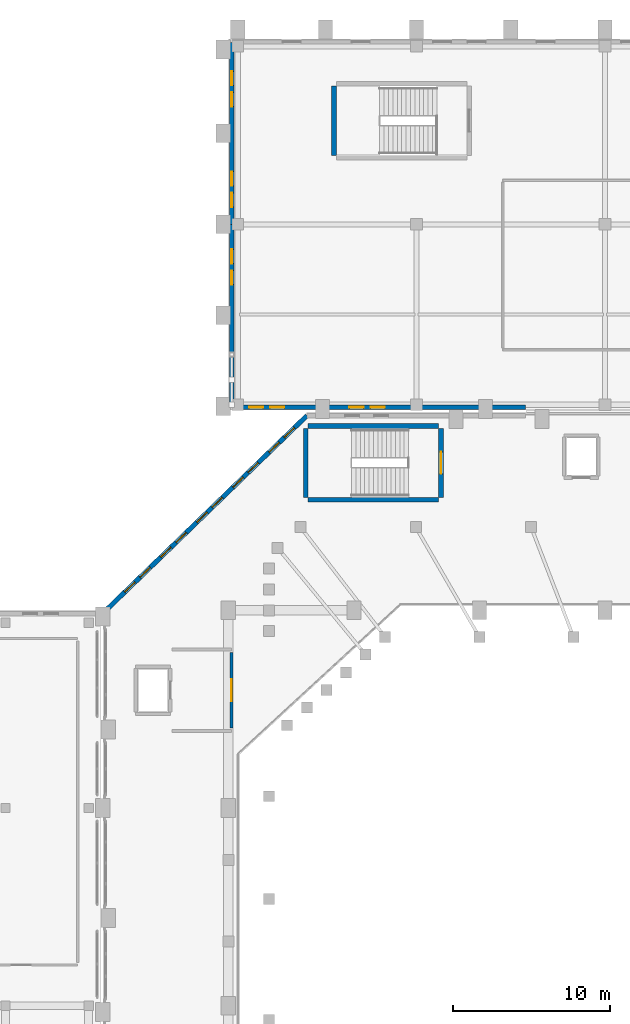
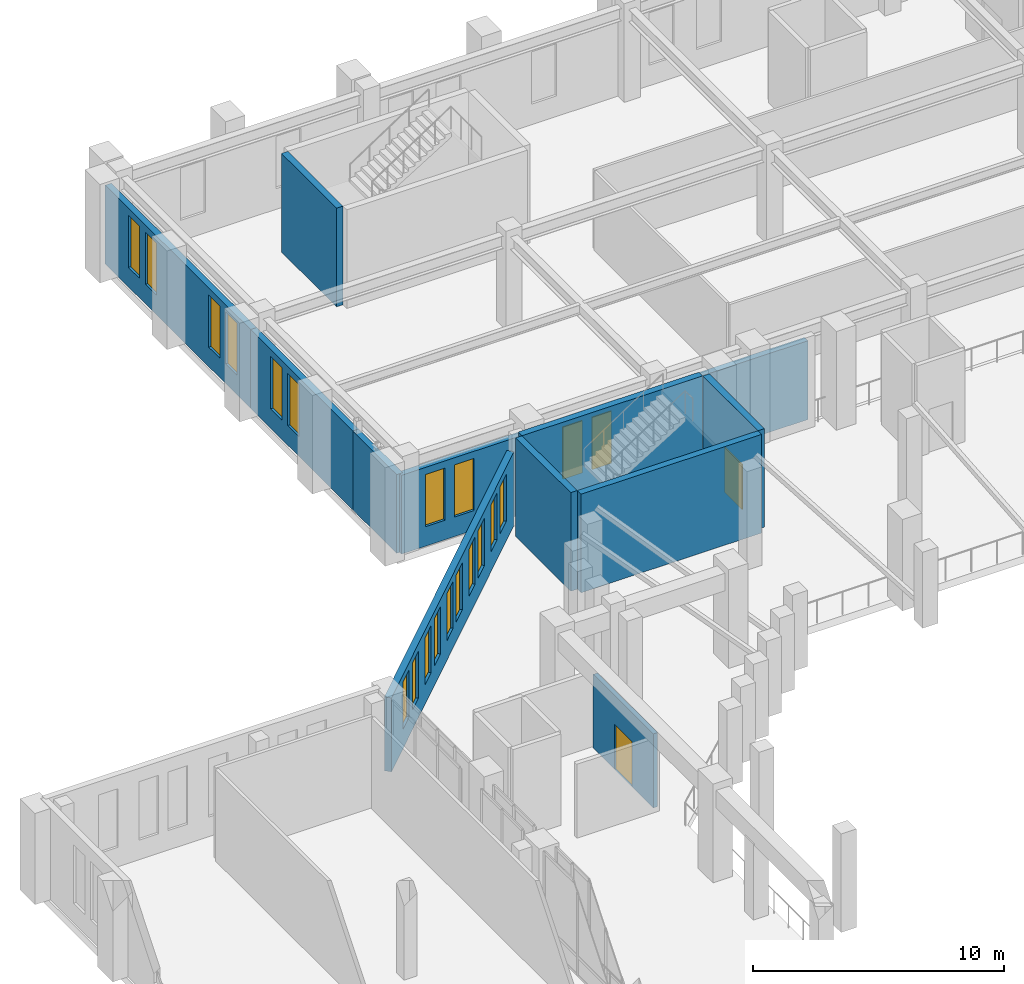
# One storey, part 95 of 126: 20 windows, 11 walls, 2 doors, 22 openings.
"""IFC4 building model written with IfcOpenShell, lengths in metres."""

from ifc_helpers import new_model, si_unit, derived_unit, direction, frame, frame_2d, origin, place, context, subcontext, project, spatial, rectangle, extrude, material, layer, layer_set, type_object, element, fill, save


model = new_model("IFC4")

# Units and contexts
model_context = context("Model", 3, precision=1e-05, world=origin(), true_north=direction((0.0, 1.0)))
body_context = subcontext(model_context, "Body", "Model", "MODEL_VIEW")
ifc_project = project(units=[si_unit("LENGTHUNIT", "METRE"), si_unit("AREAUNIT", "SQUARE_METRE"), si_unit("VOLUMEUNIT", "CUBIC_METRE"), si_unit("PLANEANGLEUNIT", "RADIAN"), si_unit("MASSUNIT", "GRAM", prefix="KILO"), derived_unit("THERMALTRANSMITTANCEUNIT", [(si_unit("MASSUNIT", "GRAM", prefix="KILO"), 1), (si_unit("TIMEUNIT", "SECOND"), -3), (si_unit("THERMODYNAMICTEMPERATUREUNIT", "KELVIN"), -1)])], contexts=[model_context])

# Site, building, storey
site_placement = place(None, origin())
site = spatial("IfcSite", under=ifc_project, at=site_placement, CompositionType="ELEMENT")
building_placement = place(site_placement, origin())
building = spatial("IfcBuilding", under=site, at=building_placement, Name="Valcora Ridge Arena", CompositionType="ELEMENT")
storey_placement = place(building_placement, frame((0.0, 0.0, 11.39990234375)))
storey = spatial("IfcBuildingStorey", under=building, at=storey_placement, Name="L02", CompositionType="ELEMENT", Elevation=11.39990234375)

# Wall
ifc_material_1 = material(Name="Bush-hammered Andean travertine on concrete backup C40/50", Category="masonry")
ifc_layer_1 = layer(ifc_material_1, 0.280029296875, Name="Bush-hammered Andean travertine on concrete backup C40/50")
ifc_layer_set_1 = layer_set([ifc_layer_1], Name="Bush-hammered Andean travertine on concrete backup C40/50")
wall_type_1 = type_object("IfcWallType", Name="TY-WALL-EW-TRV-28-38", PredefinedType="STANDARD", material=ifc_layer_set_1)
wall_1_placement = place(storey_placement, frame((24.219970703125, 108.550048828125, 0.0), z_axis=(0.0, 0.0, 1.0), x_axis=(0.0, 1.0, 0.0)))
element("IfcWall", 1, at=wall_1_placement, inside=storey, type_object=wall_type_1, Name="EW-TRV-28-38 WAL-EW-0184", PredefinedType="STANDARD", context=body_context, shape_type="SweptSolid", body=[
    extrude(rectangle(XDim=3.5, YDim=0.280029296875, at=frame_2d((1.75, 0.0))), origin(), (0.0, 0.0, 1.0), 3.838134765625),
])

# Wall, openings, windows
wall_2_placement = place(storey_placement, frame((24.219970703125, 112.050048828125, 0.0), z_axis=(0.0, 0.0, 1.0), x_axis=(0.0, 1.0, 0.0)))
wall_2 = element("IfcWall", 2, at=wall_2_placement, inside=storey, type_object=wall_type_1, Name="EW-TRV-28-38 WAL-EW-0185", PredefinedType="STANDARD", context=body_context, shape_type="SweptSolid", body=[
    extrude(rectangle(XDim=8.14990234375, YDim=0.280029296875, at=frame_2d((4.074951171875, 0.0))), origin(), (0.0, 0.0, 1.0), 3.838134765625),
])
opening_1_placement = place(wall_2_placement, frame((4.300048828125, 0.0, 0.949951171875)))
opening_1 = element("IfcOpeningElement", 3, at=opening_1_placement, cuts=wall_2, Name="Opening W-GLAN-90X254", PredefinedType="OPENING", context=body_context, shape_type="SweptSolid", body=[
    extrude(rectangle(XDim=0.89990234375, YDim=2.5400390625, at=frame_2d((0.449951171875, 1.27001953125))), frame((0.0, 0.14990234375, 0.0), z_axis=(0.0, -1.0, 0.0), x_axis=(1.0, 0.0, 0.0)), (0.0, 0.0, 1.0), 0.300048828125),
])
opening_2_placement = place(wall_2_placement, frame((5.64990234375, 0.0, 0.949951171875)))
opening_2 = element("IfcOpeningElement", 4, at=opening_2_placement, cuts=wall_2, Name="Opening W-GLAN-90X254", PredefinedType="OPENING", context=body_context, shape_type="SweptSolid", body=[
    extrude(rectangle(XDim=0.89990234375, YDim=2.5400390625, at=frame_2d((0.449951171875, 1.27001953125))), frame((0.0, 0.14990234375, 0.0), z_axis=(0.0, -1.0, 0.0), x_axis=(1.0, 0.0, 0.0)), (0.0, 0.0, 1.0), 0.300048828125),
])
ifc_material_2 = material(Name="Low-iron solar-control double glazing SHGC 0.28", Category="glass")
window_type_1 = type_object("IfcWindowType", Name="TY-WINDOW-W-GLAN-90X254", PartitioningType="DOUBLE_PANEL_VERTICAL", PredefinedType="WINDOW", material=ifc_material_2)
window_1_placement = place(opening_1_placement, origin())
window_1 = element("IfcWindow", 5, at=window_1_placement, inside=storey, type_object=window_type_1, Name="W-GLAN-90X254 WIN-EX-0556", OverallHeight=2.5400390625, OverallWidth=0.89990234375, PartitioningType="DOUBLE_PANEL_VERTICAL", PredefinedType="WINDOW", context=body_context, shape_type="SweptSolid", body=[
    extrude(rectangle(XDim=0.89990234375, YDim=2.5400390625, at=frame_2d((0.449951171875, 1.27001953125))), frame((0.0, 0.030029296875, 0.0), z_axis=(0.0, -1.0, 0.0), x_axis=(1.0, 0.0, 0.0)), (0.0, 0.0, 1.0), 0.06005859375),
])
fill(opening_1, window_1)
window_2_placement = place(opening_2_placement, origin())
window_2 = element("IfcWindow", 6, at=window_2_placement, inside=storey, type_object=window_type_1, Name="W-GLAN-90X254 WIN-EX-0557", OverallHeight=2.5400390625, OverallWidth=0.89990234375, PartitioningType="DOUBLE_PANEL_VERTICAL", PredefinedType="WINDOW", context=body_context, shape_type="SweptSolid", body=[
    extrude(rectangle(XDim=0.89990234375, YDim=2.5400390625, at=frame_2d((0.449951171875, 1.27001953125))), frame((0.0, 0.030029296875, 0.0), z_axis=(0.0, -1.0, 0.0), x_axis=(1.0, 0.0, 0.0)), (0.0, 0.0, 1.0), 0.06005859375),
])
fill(opening_2, window_2)

wall_3_placement = place(storey_placement, frame((24.219970703125, 120.199951171875, 0.0), z_axis=(0.0, 0.0, 1.0), x_axis=(0.0, 1.0, 0.0)))
wall_3 = element("IfcWall", 7, at=wall_3_placement, inside=storey, type_object=wall_type_1, Name="EW-TRV-28-38 WAL-EW-0186", PredefinedType="STANDARD", context=body_context, shape_type="SweptSolid", body=[
    extrude(rectangle(XDim=11.60009765625, YDim=0.280029296875, at=frame_2d((5.800048828125, 0.0))), origin(), (0.0, 0.0, 1.0), 3.838134765625),
])
opening_3_placement = place(wall_3_placement, frame((1.10009765625, 0.0, 0.949951171875)))
opening_3 = element("IfcOpeningElement", 8, at=opening_3_placement, cuts=wall_3, Name="Opening W-GLAN-90X254", PredefinedType="OPENING", context=body_context, shape_type="SweptSolid", body=[
    extrude(rectangle(XDim=0.89990234375, YDim=2.5400390625, at=frame_2d((0.449951171875, 1.27001953125))), frame((0.0, 0.14990234375, 0.0), z_axis=(0.0, -1.0, 0.0), x_axis=(1.0, 0.0, 0.0)), (0.0, 0.0, 1.0), 0.300048828125),
])
opening_4_placement = place(wall_3_placement, frame((2.449951171875, 0.0, 0.949951171875)))
opening_4 = element("IfcOpeningElement", 9, at=opening_4_placement, cuts=wall_3, Name="Opening W-GLAN-90X254", PredefinedType="OPENING", context=body_context, shape_type="SweptSolid", body=[
    extrude(rectangle(XDim=0.89990234375, YDim=2.5400390625, at=frame_2d((0.449951171875, 1.27001953125))), frame((0.0, 0.14990234375, 0.0), z_axis=(0.0, -1.0, 0.0), x_axis=(1.0, 0.0, 0.0)), (0.0, 0.0, 1.0), 0.300048828125),
])
opening_5_placement = place(wall_3_placement, frame((7.5, 0.0, 0.949951171875)))
opening_5 = element("IfcOpeningElement", 10, at=opening_5_placement, cuts=wall_3, Name="Opening W-GLAN-90X254", PredefinedType="OPENING", context=body_context, shape_type="SweptSolid", body=[
    extrude(rectangle(XDim=0.89990234375, YDim=2.5400390625, at=frame_2d((0.449951171875, 1.27001953125))), frame((0.0, 0.14990234375, 0.0), z_axis=(0.0, -1.0, 0.0), x_axis=(1.0, 0.0, 0.0)), (0.0, 0.0, 1.0), 0.300048828125),
])
opening_6_placement = place(wall_3_placement, frame((8.85009765625, 0.0, 0.949951171875)))
opening_6 = element("IfcOpeningElement", 11, at=opening_6_placement, cuts=wall_3, Name="Opening W-GLAN-90X254", PredefinedType="OPENING", context=body_context, shape_type="SweptSolid", body=[
    extrude(rectangle(XDim=0.89990234375, YDim=2.5400390625, at=frame_2d((0.449951171875, 1.27001953125))), frame((0.0, 0.14990234375, 0.0), z_axis=(0.0, -1.0, 0.0), x_axis=(1.0, 0.0, 0.0)), (0.0, 0.0, 1.0), 0.300048828125),
])
window_3_placement = place(opening_3_placement, origin())
window_3 = element("IfcWindow", 12, at=window_3_placement, inside=storey, type_object=window_type_1, Name="W-GLAN-90X254 WIN-EX-0558", OverallHeight=2.5400390625, OverallWidth=0.89990234375, PartitioningType="DOUBLE_PANEL_VERTICAL", PredefinedType="WINDOW", context=body_context, shape_type="SweptSolid", body=[
    extrude(rectangle(XDim=0.89990234375, YDim=2.5400390625, at=frame_2d((0.449951171875, 1.27001953125))), frame((0.0, 0.030029296875, 0.0), z_axis=(0.0, -1.0, 0.0), x_axis=(1.0, 0.0, 0.0)), (0.0, 0.0, 1.0), 0.06005859375),
])
fill(opening_3, window_3)
window_4_placement = place(opening_4_placement, origin())
window_4 = element("IfcWindow", 13, at=window_4_placement, inside=storey, type_object=window_type_1, Name="W-GLAN-90X254 WIN-EX-0559", OverallHeight=2.5400390625, OverallWidth=0.89990234375, PartitioningType="DOUBLE_PANEL_VERTICAL", PredefinedType="WINDOW", context=body_context, shape_type="SweptSolid", body=[
    extrude(rectangle(XDim=0.89990234375, YDim=2.5400390625, at=frame_2d((0.449951171875, 1.27001953125))), frame((0.0, 0.030029296875, 0.0), z_axis=(0.0, -1.0, 0.0), x_axis=(1.0, 0.0, 0.0)), (0.0, 0.0, 1.0), 0.06005859375),
])
fill(opening_4, window_4)
window_5_placement = place(opening_5_placement, origin())
window_5 = element("IfcWindow", 14, at=window_5_placement, inside=storey, type_object=window_type_1, Name="W-GLAN-90X254 WIN-EX-0560", OverallHeight=2.5400390625, OverallWidth=0.89990234375, PartitioningType="DOUBLE_PANEL_VERTICAL", PredefinedType="WINDOW", context=body_context, shape_type="SweptSolid", body=[
    extrude(rectangle(XDim=0.89990234375, YDim=2.5400390625, at=frame_2d((0.449951171875, 1.27001953125))), frame((0.0, 0.030029296875, 0.0), z_axis=(0.0, -1.0, 0.0), x_axis=(1.0, 0.0, 0.0)), (0.0, 0.0, 1.0), 0.06005859375),
])
fill(opening_5, window_5)
window_6_placement = place(opening_6_placement, origin())
window_6 = element("IfcWindow", 15, at=window_6_placement, inside=storey, type_object=window_type_1, Name="W-GLAN-90X254 WIN-EX-0561", OverallHeight=2.5400390625, OverallWidth=0.89990234375, PartitioningType="DOUBLE_PANEL_VERTICAL", PredefinedType="WINDOW", context=body_context, shape_type="SweptSolid", body=[
    extrude(rectangle(XDim=0.89990234375, YDim=2.5400390625, at=frame_2d((0.449951171875, 1.27001953125))), frame((0.0, 0.030029296875, 0.0), z_axis=(0.0, -1.0, 0.0), x_axis=(1.0, 0.0, 0.0)), (0.0, 0.0, 1.0), 0.06005859375),
])
fill(opening_6, window_6)

wall_4_placement = place(storey_placement, frame((24.219970703125, 108.550048828125, 0.0), z_axis=(0.0, 0.0, 1.0), x_axis=(1.0, 0.0, 0.0)))
wall_4 = element("IfcWall", 16, at=wall_4_placement, inside=storey, type_object=wall_type_1, Name="EW-TRV-28-38 WAL-EW-0187", PredefinedType="STANDARD", context=body_context, shape_type="SweptSolid", body=[
    extrude(rectangle(XDim=18.72998046875, YDim=0.280029296875, at=frame_2d((9.364990234375, 0.0))), origin(), (0.0, 0.0, 1.0), 3.838134765625),
])
opening_7_placement = place(wall_4_placement, frame((1.10009765625, 0.0, 0.949951171875)))
opening_7 = element("IfcOpeningElement", 17, at=opening_7_placement, cuts=wall_4, Name="Opening W-GLAN-90X254", PredefinedType="OPENING", context=body_context, shape_type="SweptSolid", body=[
    extrude(rectangle(XDim=0.89990234375, YDim=2.5400390625, at=frame_2d((0.449951171875, 1.27001953125))), frame((0.0, 0.14990234375, 0.0), z_axis=(0.0, -1.0, 0.0), x_axis=(1.0, 0.0, 0.0)), (0.0, 0.0, 1.0), 0.300048828125),
])
opening_8_placement = place(wall_4_placement, frame((2.449951171875, 0.0, 0.949951171875)))
opening_8 = element("IfcOpeningElement", 18, at=opening_8_placement, cuts=wall_4, Name="Opening W-GLAN-90X254", PredefinedType="OPENING", context=body_context, shape_type="SweptSolid", body=[
    extrude(rectangle(XDim=0.89990234375, YDim=2.5400390625, at=frame_2d((0.449951171875, 1.27001953125))), frame((0.0, 0.14990234375, 0.0), z_axis=(0.0, -1.0, 0.0), x_axis=(1.0, 0.0, 0.0)), (0.0, 0.0, 1.0), 0.300048828125),
])
opening_9_placement = place(wall_4_placement, frame((7.5, 0.0, 0.949951171875)))
opening_9 = element("IfcOpeningElement", 19, at=opening_9_placement, cuts=wall_4, Name="Opening W-GLAN-90X254", PredefinedType="OPENING", context=body_context, shape_type="SweptSolid", body=[
    extrude(rectangle(XDim=0.89990234375, YDim=2.5400390625, at=frame_2d((0.449951171875, 1.27001953125))), frame((0.0, 0.14990234375, 0.0), z_axis=(0.0, -1.0, 0.0), x_axis=(1.0, 0.0, 0.0)), (0.0, 0.0, 1.0), 0.300048828125),
])
opening_10_placement = place(wall_4_placement, frame((8.85009765625, 0.0, 0.949951171875)))
opening_10 = element("IfcOpeningElement", 20, at=opening_10_placement, cuts=wall_4, Name="Opening W-GLAN-90X254", PredefinedType="OPENING", context=body_context, shape_type="SweptSolid", body=[
    extrude(rectangle(XDim=0.89990234375, YDim=2.5400390625, at=frame_2d((0.449951171875, 1.27001953125))), frame((0.0, 0.14990234375, 0.0), z_axis=(0.0, -1.0, 0.0), x_axis=(1.0, 0.0, 0.0)), (0.0, 0.0, 1.0), 0.300048828125),
])
window_7_placement = place(opening_7_placement, origin())
window_7 = element("IfcWindow", 21, at=window_7_placement, inside=storey, type_object=window_type_1, Name="W-GLAN-90X254 WIN-EX-0562", OverallHeight=2.5400390625, OverallWidth=0.89990234375, PartitioningType="DOUBLE_PANEL_VERTICAL", PredefinedType="WINDOW", context=body_context, shape_type="SweptSolid", body=[
    extrude(rectangle(XDim=0.89990234375, YDim=2.5400390625, at=frame_2d((0.449951171875, 1.27001953125))), frame((0.0, 0.030029296875, 0.0), z_axis=(0.0, -1.0, 0.0), x_axis=(1.0, 0.0, 0.0)), (0.0, 0.0, 1.0), 0.06005859375),
])
fill(opening_7, window_7)
window_8_placement = place(opening_8_placement, origin())
window_8 = element("IfcWindow", 22, at=window_8_placement, inside=storey, type_object=window_type_1, Name="W-GLAN-90X254 WIN-EX-0563", OverallHeight=2.5400390625, OverallWidth=0.89990234375, PartitioningType="DOUBLE_PANEL_VERTICAL", PredefinedType="WINDOW", context=body_context, shape_type="SweptSolid", body=[
    extrude(rectangle(XDim=0.89990234375, YDim=2.5400390625, at=frame_2d((0.449951171875, 1.27001953125))), frame((0.0, 0.030029296875, 0.0), z_axis=(0.0, -1.0, 0.0), x_axis=(1.0, 0.0, 0.0)), (0.0, 0.0, 1.0), 0.06005859375),
])
fill(opening_8, window_8)
window_9_placement = place(opening_9_placement, origin())
window_9 = element("IfcWindow", 23, at=window_9_placement, inside=storey, type_object=window_type_1, Name="W-GLAN-90X254 WIN-EX-0564", OverallHeight=2.5400390625, OverallWidth=0.89990234375, PartitioningType="DOUBLE_PANEL_VERTICAL", PredefinedType="WINDOW", context=body_context, shape_type="SweptSolid", body=[
    extrude(rectangle(XDim=0.89990234375, YDim=2.5400390625, at=frame_2d((0.449951171875, 1.27001953125))), frame((0.0, 0.030029296875, 0.0), z_axis=(0.0, -1.0, 0.0), x_axis=(1.0, 0.0, 0.0)), (0.0, 0.0, 1.0), 0.06005859375),
])
fill(opening_9, window_9)
window_10_placement = place(opening_10_placement, origin())
window_10 = element("IfcWindow", 24, at=window_10_placement, inside=storey, type_object=window_type_1, Name="W-GLAN-90X254 WIN-EX-0565", OverallHeight=2.5400390625, OverallWidth=0.89990234375, PartitioningType="DOUBLE_PANEL_VERTICAL", PredefinedType="WINDOW", context=body_context, shape_type="SweptSolid", body=[
    extrude(rectangle(XDim=0.89990234375, YDim=2.5400390625, at=frame_2d((0.449951171875, 1.27001953125))), frame((0.0, 0.030029296875, 0.0), z_axis=(0.0, -1.0, 0.0), x_axis=(1.0, 0.0, 0.0)), (0.0, 0.0, 1.0), 0.06005859375),
])
fill(opening_10, window_10)

ifc_layer_2 = layer(ifc_material_1, 0.300048828125, Name="Bush-hammered Andean travertine on concrete backup C40/50")
ifc_layer_set_2 = layer_set([ifc_layer_2], Name="Bush-hammered Andean travertine on concrete backup C40/50")
wall_type_2 = type_object("IfcWallType", Name="TY-WALL-EW-TRV-30-36", PredefinedType="STANDARD", material=ifc_layer_set_2)
wall_5_placement = place(storey_placement, frame((29.0, 108.0, 0.0), z_axis=(0.0, 0.0, 1.0), x_axis=(-0.718244287729, -0.695791019736, 0.0)))
wall_5 = element("IfcWall", 25, at=wall_5_placement, inside=storey, type_object=wall_type_2, Name="EW-TRV-30-36 WAL-EW-0049", PredefinedType="STANDARD", context=body_context, shape_type="SweptSolid", body=[
    extrude(rectangle(XDim=17.8212890625, YDim=0.300048828125, at=frame_2d((8.91064453125, 0.0))), origin(), (0.0, 0.0, 1.0), 3.60009765625),
])
opening_11_placement = place(wall_5_placement, frame((1.10009765625, 0.0, 0.949951171875)))
opening_11 = element("IfcOpeningElement", 26, at=opening_11_placement, cuts=wall_5, Name="Opening W-GLAN-90X230", PredefinedType="OPENING", context=body_context, shape_type="SweptSolid", body=[
    extrude(rectangle(XDim=0.89990234375, YDim=2.300048828125, at=frame_2d((0.449951171875, 1.14990234375))), frame((0.0, 0.159912109375, 0.0), z_axis=(0.0, -1.0, 0.0), x_axis=(1.0, 0.0, 0.0)), (0.0, 0.0, 1.0), 0.320068359375),
])
opening_12_placement = place(wall_5_placement, frame((2.449951171875, 0.0, 0.949951171875)))
opening_12 = element("IfcOpeningElement", 27, at=opening_12_placement, cuts=wall_5, Name="Opening W-GLAN-90X230", PredefinedType="OPENING", context=body_context, shape_type="SweptSolid", body=[
    extrude(rectangle(XDim=0.89990234375, YDim=2.300048828125, at=frame_2d((0.449951171875, 1.14990234375))), frame((0.0, 0.159912109375, 0.0), z_axis=(0.0, -1.0, 0.0), x_axis=(1.0, 0.0, 0.0)), (0.0, 0.0, 1.0), 0.320068359375),
])
opening_13_placement = place(wall_5_placement, frame((4.300048828125, 0.0, 0.949951171875)))
opening_13 = element("IfcOpeningElement", 28, at=opening_13_placement, cuts=wall_5, Name="Opening W-GLAN-90X230", PredefinedType="OPENING", context=body_context, shape_type="SweptSolid", body=[
    extrude(rectangle(XDim=0.89990234375, YDim=2.300048828125, at=frame_2d((0.449951171875, 1.14990234375))), frame((0.0, 0.159912109375, 0.0), z_axis=(0.0, -1.0, 0.0), x_axis=(1.0, 0.0, 0.0)), (0.0, 0.0, 1.0), 0.320068359375),
])
opening_14_placement = place(wall_5_placement, frame((5.64990234375, 0.0, 0.949951171875)))
opening_14 = element("IfcOpeningElement", 29, at=opening_14_placement, cuts=wall_5, Name="Opening W-GLAN-90X230", PredefinedType="OPENING", context=body_context, shape_type="SweptSolid", body=[
    extrude(rectangle(XDim=0.89990234375, YDim=2.300048828125, at=frame_2d((0.449951171875, 1.14990234375))), frame((0.0, 0.159912109375, 0.0), z_axis=(0.0, -1.0, 0.0), x_axis=(1.0, 0.0, 0.0)), (0.0, 0.0, 1.0), 0.320068359375),
])
opening_15_placement = place(wall_5_placement, frame((7.5, 0.0, 0.949951171875)))
opening_15 = element("IfcOpeningElement", 30, at=opening_15_placement, cuts=wall_5, Name="Opening W-GLAN-90X230", PredefinedType="OPENING", context=body_context, shape_type="SweptSolid", body=[
    extrude(rectangle(XDim=0.89990234375, YDim=2.300048828125, at=frame_2d((0.449951171875, 1.14990234375))), frame((0.0, 0.159912109375, 0.0), z_axis=(0.0, -1.0, 0.0), x_axis=(1.0, 0.0, 0.0)), (0.0, 0.0, 1.0), 0.320068359375),
])
opening_16_placement = place(wall_5_placement, frame((8.85009765625, 0.0, 0.949951171875)))
opening_16 = element("IfcOpeningElement", 31, at=opening_16_placement, cuts=wall_5, Name="Opening W-GLAN-90X230", PredefinedType="OPENING", context=body_context, shape_type="SweptSolid", body=[
    extrude(rectangle(XDim=0.89990234375, YDim=2.300048828125, at=frame_2d((0.449951171875, 1.14990234375))), frame((0.0, 0.159912109375, 0.0), z_axis=(0.0, -1.0, 0.0), x_axis=(1.0, 0.0, 0.0)), (0.0, 0.0, 1.0), 0.320068359375),
])
opening_17_placement = place(wall_5_placement, frame((10.699951171875, 0.0, 0.949951171875)))
opening_17 = element("IfcOpeningElement", 32, at=opening_17_placement, cuts=wall_5, Name="Opening W-GLAN-90X230", PredefinedType="OPENING", context=body_context, shape_type="SweptSolid", body=[
    extrude(rectangle(XDim=0.89990234375, YDim=2.300048828125, at=frame_2d((0.449951171875, 1.14990234375))), frame((0.0, 0.159912109375, 0.0), z_axis=(0.0, -1.0, 0.0), x_axis=(1.0, 0.0, 0.0)), (0.0, 0.0, 1.0), 0.320068359375),
])
opening_18_placement = place(wall_5_placement, frame((12.050048828125, 0.0, 0.949951171875)))
opening_18 = element("IfcOpeningElement", 33, at=opening_18_placement, cuts=wall_5, Name="Opening W-GLAN-90X230", PredefinedType="OPENING", context=body_context, shape_type="SweptSolid", body=[
    extrude(rectangle(XDim=0.89990234375, YDim=2.300048828125, at=frame_2d((0.449951171875, 1.14990234375))), frame((0.0, 0.159912109375, 0.0), z_axis=(0.0, -1.0, 0.0), x_axis=(1.0, 0.0, 0.0)), (0.0, 0.0, 1.0), 0.320068359375),
])
opening_19_placement = place(wall_5_placement, frame((13.89990234375, 0.0, 0.949951171875)))
opening_19 = element("IfcOpeningElement", 34, at=opening_19_placement, cuts=wall_5, Name="Opening W-GLAN-90X230", PredefinedType="OPENING", context=body_context, shape_type="SweptSolid", body=[
    extrude(rectangle(XDim=0.89990234375, YDim=2.300048828125, at=frame_2d((0.449951171875, 1.14990234375))), frame((0.0, 0.159912109375, 0.0), z_axis=(0.0, -1.0, 0.0), x_axis=(1.0, 0.0, 0.0)), (0.0, 0.0, 1.0), 0.320068359375),
])
opening_20_placement = place(wall_5_placement, frame((15.25, 0.0, 0.949951171875)))
opening_20 = element("IfcOpeningElement", 35, at=opening_20_placement, cuts=wall_5, Name="Opening W-GLAN-90X230", PredefinedType="OPENING", context=body_context, shape_type="SweptSolid", body=[
    extrude(rectangle(XDim=0.89990234375, YDim=2.300048828125, at=frame_2d((0.449951171875, 1.14990234375))), frame((0.0, 0.159912109375, 0.0), z_axis=(0.0, -1.0, 0.0), x_axis=(1.0, 0.0, 0.0)), (0.0, 0.0, 1.0), 0.320068359375),
])
window_type_2 = type_object("IfcWindowType", Name="TY-WINDOW-W-GLAN-90X230", PartitioningType="DOUBLE_PANEL_VERTICAL", PredefinedType="WINDOW", material=ifc_material_2)
window_11_placement = place(opening_11_placement, origin())
window_11 = element("IfcWindow", 36, at=window_11_placement, inside=storey, type_object=window_type_2, Name="W-GLAN-90X230 WIN-EX-0113", OverallHeight=2.300048828125, OverallWidth=0.89990234375, PartitioningType="DOUBLE_PANEL_VERTICAL", PredefinedType="WINDOW", context=body_context, shape_type="SweptSolid", body=[
    extrude(rectangle(XDim=0.89990234375, YDim=2.300048828125, at=frame_2d((0.449951171875, 1.14990234375))), frame((0.0, 0.030029296875, 0.0), z_axis=(0.0, -1.0, 0.0), x_axis=(1.0, 0.0, 0.0)), (0.0, 0.0, 1.0), 0.06005859375),
])
fill(opening_11, window_11)
window_12_placement = place(opening_12_placement, origin())
window_12 = element("IfcWindow", 37, at=window_12_placement, inside=storey, type_object=window_type_2, Name="W-GLAN-90X230 WIN-EX-0114", OverallHeight=2.300048828125, OverallWidth=0.89990234375, PartitioningType="DOUBLE_PANEL_VERTICAL", PredefinedType="WINDOW", context=body_context, shape_type="SweptSolid", body=[
    extrude(rectangle(XDim=0.89990234375, YDim=2.300048828125, at=frame_2d((0.449951171875, 1.14990234375))), frame((0.0, 0.030029296875, 0.0), z_axis=(0.0, -1.0, 0.0), x_axis=(1.0, 0.0, 0.0)), (0.0, 0.0, 1.0), 0.06005859375),
])
fill(opening_12, window_12)
window_13_placement = place(opening_13_placement, origin())
window_13 = element("IfcWindow", 38, at=window_13_placement, inside=storey, type_object=window_type_2, Name="W-GLAN-90X230 WIN-EX-0115", OverallHeight=2.300048828125, OverallWidth=0.89990234375, PartitioningType="DOUBLE_PANEL_VERTICAL", PredefinedType="WINDOW", context=body_context, shape_type="SweptSolid", body=[
    extrude(rectangle(XDim=0.89990234375, YDim=2.300048828125, at=frame_2d((0.449951171875, 1.14990234375))), frame((0.0, 0.030029296875, 0.0), z_axis=(0.0, -1.0, 0.0), x_axis=(1.0, 0.0, 0.0)), (0.0, 0.0, 1.0), 0.06005859375),
])
fill(opening_13, window_13)
window_14_placement = place(opening_14_placement, origin())
window_14 = element("IfcWindow", 39, at=window_14_placement, inside=storey, type_object=window_type_2, Name="W-GLAN-90X230 WIN-EX-0116", OverallHeight=2.300048828125, OverallWidth=0.89990234375, PartitioningType="DOUBLE_PANEL_VERTICAL", PredefinedType="WINDOW", context=body_context, shape_type="SweptSolid", body=[
    extrude(rectangle(XDim=0.89990234375, YDim=2.300048828125, at=frame_2d((0.449951171875, 1.14990234375))), frame((0.0, 0.030029296875, 0.0), z_axis=(0.0, -1.0, 0.0), x_axis=(1.0, 0.0, 0.0)), (0.0, 0.0, 1.0), 0.06005859375),
])
fill(opening_14, window_14)
window_15_placement = place(opening_15_placement, origin())
window_15 = element("IfcWindow", 40, at=window_15_placement, inside=storey, type_object=window_type_2, Name="W-GLAN-90X230 WIN-EX-0117", OverallHeight=2.300048828125, OverallWidth=0.89990234375, PartitioningType="DOUBLE_PANEL_VERTICAL", PredefinedType="WINDOW", context=body_context, shape_type="SweptSolid", body=[
    extrude(rectangle(XDim=0.89990234375, YDim=2.300048828125, at=frame_2d((0.449951171875, 1.14990234375))), frame((0.0, 0.030029296875, 0.0), z_axis=(0.0, -1.0, 0.0), x_axis=(1.0, 0.0, 0.0)), (0.0, 0.0, 1.0), 0.06005859375),
])
fill(opening_15, window_15)
window_16_placement = place(opening_16_placement, origin())
window_16 = element("IfcWindow", 41, at=window_16_placement, inside=storey, type_object=window_type_2, Name="W-GLAN-90X230 WIN-EX-0118", OverallHeight=2.300048828125, OverallWidth=0.89990234375, PartitioningType="DOUBLE_PANEL_VERTICAL", PredefinedType="WINDOW", context=body_context, shape_type="SweptSolid", body=[
    extrude(rectangle(XDim=0.89990234375, YDim=2.300048828125, at=frame_2d((0.449951171875, 1.14990234375))), frame((0.0, 0.030029296875, 0.0), z_axis=(0.0, -1.0, 0.0), x_axis=(1.0, 0.0, 0.0)), (0.0, 0.0, 1.0), 0.06005859375),
])
fill(opening_16, window_16)
window_17_placement = place(opening_17_placement, origin())
window_17 = element("IfcWindow", 42, at=window_17_placement, inside=storey, type_object=window_type_2, Name="W-GLAN-90X230 WIN-EX-0119", OverallHeight=2.300048828125, OverallWidth=0.89990234375, PartitioningType="DOUBLE_PANEL_VERTICAL", PredefinedType="WINDOW", context=body_context, shape_type="SweptSolid", body=[
    extrude(rectangle(XDim=0.89990234375, YDim=2.300048828125, at=frame_2d((0.449951171875, 1.14990234375))), frame((0.0, 0.030029296875, 0.0), z_axis=(0.0, -1.0, 0.0), x_axis=(1.0, 0.0, 0.0)), (0.0, 0.0, 1.0), 0.06005859375),
])
fill(opening_17, window_17)
window_18_placement = place(opening_18_placement, origin())
window_18 = element("IfcWindow", 43, at=window_18_placement, inside=storey, type_object=window_type_2, Name="W-GLAN-90X230 WIN-EX-0120", OverallHeight=2.300048828125, OverallWidth=0.89990234375, PartitioningType="DOUBLE_PANEL_VERTICAL", PredefinedType="WINDOW", context=body_context, shape_type="SweptSolid", body=[
    extrude(rectangle(XDim=0.89990234375, YDim=2.300048828125, at=frame_2d((0.449951171875, 1.14990234375))), frame((0.0, 0.030029296875, 0.0), z_axis=(0.0, -1.0, 0.0), x_axis=(1.0, 0.0, 0.0)), (0.0, 0.0, 1.0), 0.06005859375),
])
fill(opening_18, window_18)
window_19_placement = place(opening_19_placement, origin())
window_19 = element("IfcWindow", 44, at=window_19_placement, inside=storey, type_object=window_type_2, Name="W-GLAN-90X230 WIN-EX-0121", OverallHeight=2.300048828125, OverallWidth=0.89990234375, PartitioningType="DOUBLE_PANEL_VERTICAL", PredefinedType="WINDOW", context=body_context, shape_type="SweptSolid", body=[
    extrude(rectangle(XDim=0.89990234375, YDim=2.300048828125, at=frame_2d((0.449951171875, 1.14990234375))), frame((0.0, 0.030029296875, 0.0), z_axis=(0.0, -1.0, 0.0), x_axis=(1.0, 0.0, 0.0)), (0.0, 0.0, 1.0), 0.06005859375),
])
fill(opening_19, window_19)
window_20_placement = place(opening_20_placement, origin())
window_20 = element("IfcWindow", 45, at=window_20_placement, inside=storey, type_object=window_type_2, Name="W-GLAN-90X230 WIN-EX-0122", OverallHeight=2.300048828125, OverallWidth=0.89990234375, PartitioningType="DOUBLE_PANEL_VERTICAL", PredefinedType="WINDOW", context=body_context, shape_type="SweptSolid", body=[
    extrude(rectangle(XDim=0.89990234375, YDim=2.300048828125, at=frame_2d((0.449951171875, 1.14990234375))), frame((0.0, 0.030029296875, 0.0), z_axis=(0.0, -1.0, 0.0), x_axis=(1.0, 0.0, 0.0)), (0.0, 0.0, 1.0), 0.06005859375),
])
fill(opening_20, window_20)

# Wall, opening, door
ifc_material_3 = material(Name="Fire-resisting reinforced concrete enclosure C40/50 200 mm", Category="concrete")
ifc_layer_3 = layer(ifc_material_3, 0.199951171875, Name="Fire-resisting reinforced concrete enclosure C40/50 200 mm")
ifc_layer_set_3 = layer_set([ifc_layer_3], Name="Fire-resisting reinforced concrete enclosure C40/50 200 mm")
wall_type_3 = type_object("IfcWallType", Name="TY-WALL-IW-FIRE-200", PredefinedType="STANDARD", material=ifc_layer_set_3)
wall_6_placement = place(storey_placement, frame((24.199951171875, 88.10009765625, 0.0), z_axis=(0.0, 0.0, 1.0), x_axis=(0.0, 1.0, 0.0)))
wall_6 = element("IfcWall", 46, at=wall_6_placement, inside=storey, type_object=wall_type_3, Name="IW-FIRE-200 WAL-IN-0033", PredefinedType="STANDARD", context=body_context, shape_type="SweptSolid", body=[
    extrude(rectangle(XDim=4.7998046875, YDim=0.199951171875, at=frame_2d((2.39990234375, 0.0))), origin(), (0.0, 0.0, 1.0), 3.60009765625),
])
opening_21_placement = place(wall_6_placement, frame((1.699951171875, 0.0, 0.0)))
opening_21 = element("IfcOpeningElement", 47, at=opening_21_placement, cuts=wall_6, Name="Opening FD-FFL-1400", PredefinedType="OPENING", context=body_context, shape_type="SweptSolid", body=[
    extrude(rectangle(XDim=1.39990234375, YDim=2.199951171875, at=frame_2d((0.699951171875, 1.10009765625))), frame((0.0, 0.10986328125, 0.0), z_axis=(0.0, -1.0, 0.0), x_axis=(1.0, 0.0, 0.0)), (0.0, 0.0, 1.0), 0.219970703125),
])
ifc_material_4 = material(Name="Insulated fire-rated steel door leaf", Category="steel")
door_type_1 = type_object("IfcDoorType", Name="TY-DOOR-FD-FFL-1400", OperationType="NOTDEFINED", PredefinedType="DOOR", material=ifc_material_4)
door_1_placement = place(opening_21_placement, origin())
door_1 = element("IfcDoor", 48, at=door_1_placement, inside=storey, type_object=door_type_1, Name="FD-FFL-1400 DOR-IN-0011", OperationType="DOUBLE_DOOR_SINGLE_SWING", OverallHeight=2.199951171875, OverallWidth=1.39990234375, PredefinedType="DOOR", context=body_context, shape_type="SweptSolid", body=[
    extrude(rectangle(XDim=1.39990234375, YDim=2.199951171875, at=frame_2d((0.699951171875, 1.10009765625))), frame((0.0, 0.02490234375, 0.0), z_axis=(0.0, -1.0, 0.0), x_axis=(1.0, 0.0, 0.0)), (0.0, 0.0, 1.0), 0.050048828125),
])
fill(opening_21, door_1)

# Walls
ifc_material_5 = material(Name="Concrete C45/55", Category="concrete")
ifc_layer_4 = layer(ifc_material_5, 0.300048828125, Name="Concrete C45/55")
ifc_layer_set_4 = layer_set([ifc_layer_4], Name="Concrete C45/55")
wall_type_4 = type_object("IfcWallType", Name="TY-WALL-SW-C300-L", PredefinedType="SHEAR", material=ifc_layer_set_4)
for number, where, z_axis, x_axis, name in (
    (49, (29.080078125, 102.64990234375, 0.0), (0.0, 0.0, 1.0), (1.0, 0.0, 0.0), "SW-C300-L WAL-CR-0065"),
    (50, (29.080078125, 107.35009765625, 0.0), (0.0, 0.0, 1.0), (1.0, 0.0, 0.0), "SW-C300-L WAL-CR-0066"),
):
    element("IfcWall", number, at=place(storey_placement, frame(where, z_axis=z_axis, x_axis=x_axis)), inside=storey, type_object=wall_type_4, Name=name, PredefinedType="SHEAR", context=body_context, shape_type="SweptSolid", body=[
        extrude(rectangle(XDim=8.31982421875, YDim=0.300048828125, at=frame_2d((4.159912109375, 0.0))), origin(), (0.0, 0.0, 1.0), 4.800048828125),
    ])
ifc_layer_5 = layer(ifc_material_5, 0.300048828125, Name="Concrete C45/55")
ifc_layer_set_5 = layer_set([ifc_layer_5], Name="Concrete C45/55")
wall_type_5 = type_object("IfcWallType", Name="TY-WALL-SW-C300-S", PredefinedType="SHEAR", material=ifc_layer_set_5)
wall_7_placement = place(storey_placement, frame((28.929931640625, 102.800048828125, 0.0), z_axis=(0.0, 0.0, 1.0), x_axis=(0.0, 1.0, 0.0)))
element("IfcWall", 51, at=wall_7_placement, inside=storey, type_object=wall_type_5, Name="SW-C300-S WAL-CR-0067", PredefinedType="SHEAR", context=body_context, shape_type="SweptSolid", body=[
    extrude(rectangle(XDim=4.39990234375, YDim=0.300048828125, at=frame_2d((2.199951171875, 0.0))), origin(), (0.0, 0.0, 1.0), 4.800048828125),
])

# Wall, opening, door
wall_8_placement = place(storey_placement, frame((37.550048828125, 102.800048828125, 0.0), z_axis=(0.0, 0.0, 1.0), x_axis=(0.0, 1.0, 0.0)))
wall_8 = element("IfcWall", 52, at=wall_8_placement, inside=storey, type_object=wall_type_5, Name="SW-C300-S WAL-CR-0068", PredefinedType="SHEAR", context=body_context, shape_type="SweptSolid", body=[
    extrude(rectangle(XDim=4.39990234375, YDim=0.300048828125, at=frame_2d((2.199951171875, 0.0))), origin(), (0.0, 0.0, 1.0), 4.800048828125),
])
opening_22_placement = place(wall_8_placement, frame((1.5, 0.0, 0.0)))
opening_22 = element("IfcOpeningElement", 53, at=opening_22_placement, cuts=wall_8, Name="Opening FD-01", PredefinedType="OPENING", context=body_context, shape_type="SweptSolid", body=[
    extrude(rectangle(XDim=1.39990234375, YDim=2.199951171875, at=frame_2d((0.699951171875, 1.10009765625))), frame((0.0, 0.159912109375, 0.0), z_axis=(0.0, -1.0, 0.0), x_axis=(1.0, 0.0, 0.0)), (0.0, 0.0, 1.0), 0.320068359375),
])
door_type_2 = type_object("IfcDoorType", Name="TY-DOOR-FD-01", OperationType="NOTDEFINED", PredefinedType="DOOR", material=ifc_material_4)
door_2_placement = place(opening_22_placement, origin())
door_2 = element("IfcDoor", 54, at=door_2_placement, inside=storey, type_object=door_type_2, Name="FD-01 DOR-ST-0017", OperationType="DOUBLE_DOOR_SINGLE_SWING", OverallHeight=2.199951171875, OverallWidth=1.39990234375, PredefinedType="DOOR", context=body_context, shape_type="SweptSolid", body=[
    extrude(rectangle(XDim=1.39990234375, YDim=2.199951171875, at=frame_2d((0.699951171875, 1.10009765625))), frame((0.0, 0.02490234375, 0.0), z_axis=(0.0, -1.0, 0.0), x_axis=(1.0, 0.0, 0.0)), (0.0, 0.0, 1.0), 0.050048828125),
])
fill(opening_22, door_2)

# Wall
wall_9_placement = place(storey_placement, frame((30.72998046875, 124.60009765625, 0.0), z_axis=(0.0, 0.0, 1.0), x_axis=(0.0, 1.0, 0.0)))
element("IfcWall", 55, at=wall_9_placement, inside=storey, type_object=wall_type_5, Name="SW-C300-S WAL-CR-0191", PredefinedType="SHEAR", context=body_context, shape_type="SweptSolid", body=[
    extrude(rectangle(XDim=4.39990234375, YDim=0.300048828125, at=frame_2d((2.199951171875, 0.0))), origin(), (0.0, 0.0, 1.0), 4.800048828125),
])

save(model, "model.ifc")
